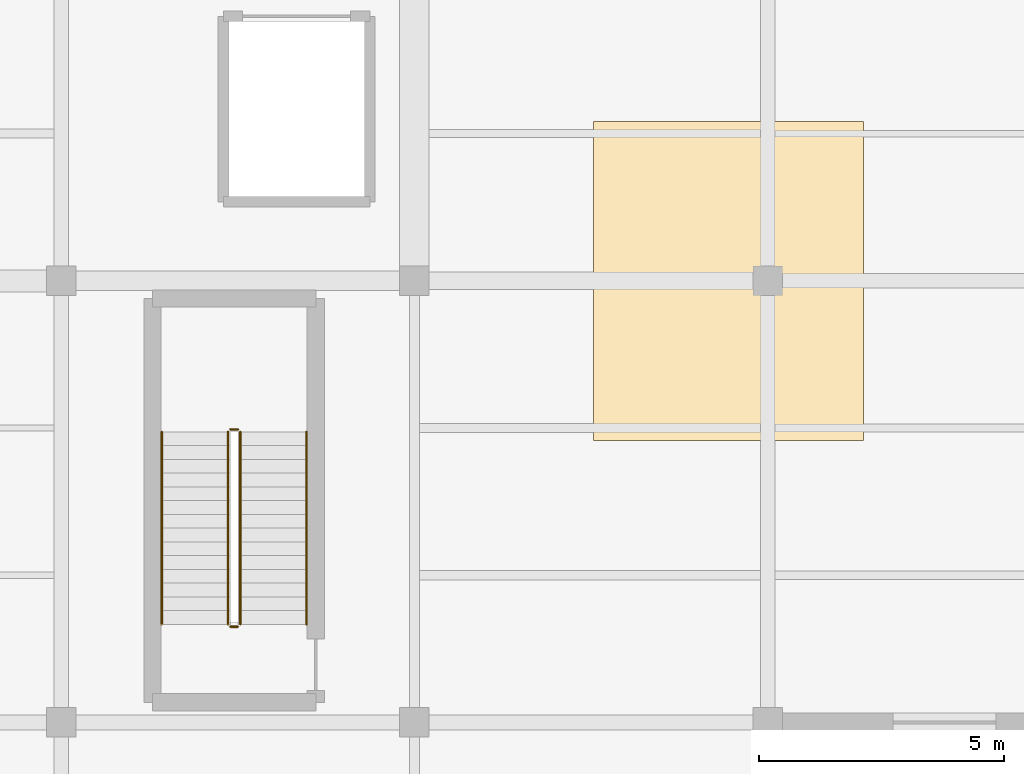
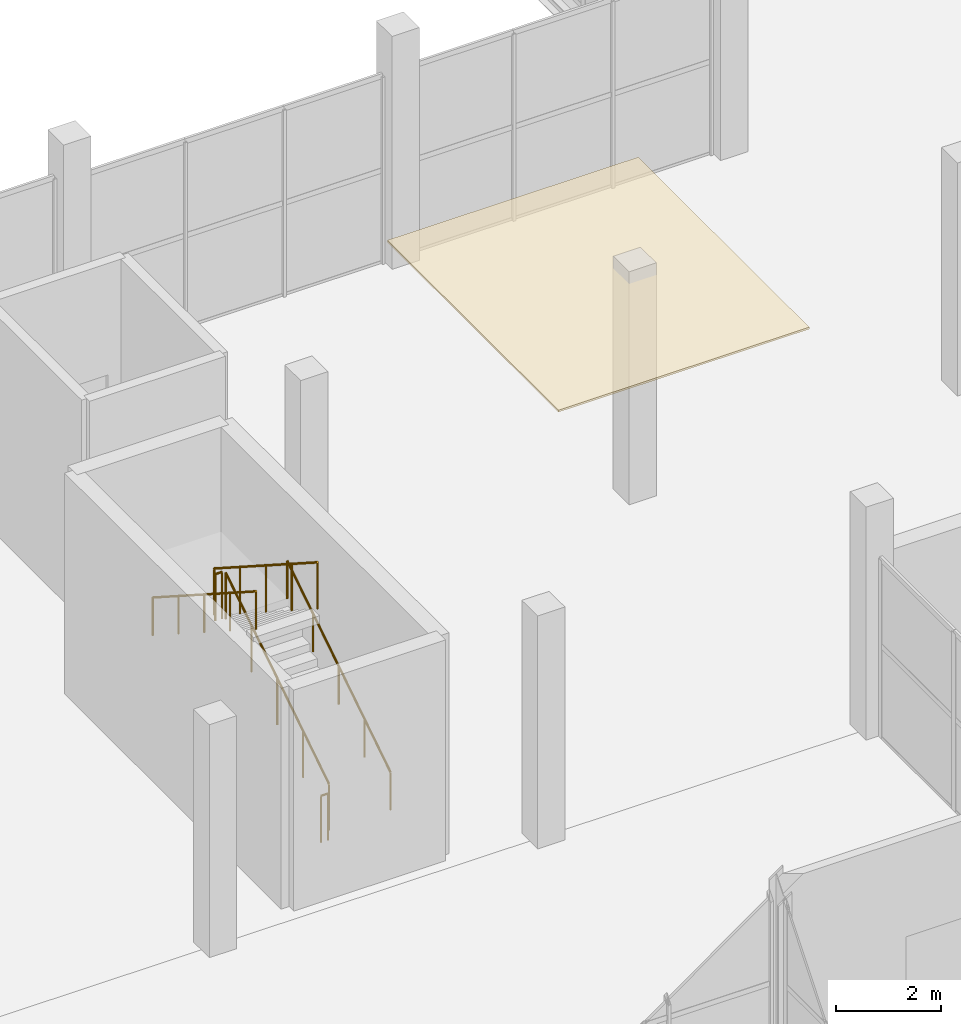
# One storey, part 140 of 141: 6 railings, 1 covering.
"""IFC4 building model written with IfcOpenShell, lengths in metres."""

import ifcopenshell
import ifcopenshell.guid

model = None  # the IFC model being written
_history = None  # IfcOwnerHistory: only IFC2X3 demands one
_inside = {}  # id of a spatial element -> (the spatial element, [elements in it])
_under = {}  # id of a project, library or spatial element -> (it, [spatial elements below it])
_declared = {}  # id of a project -> (the project, [libraries it declares])
_typed = {}  # id of a type object -> (the type object, [elements of that type])
_made_of = {}  # id of a material, layer set ... -> (it, [elements and type objects made of it])


def new_model(schema):
    """Start an empty IFC model of exactly this schema.

    Asked for "IFC4X3", IfcOpenShell would pick the latest addendum, in which some entities
    have other attributes; the version numbers below select the first issue.
    IFC2X3 requires an IfcOwnerHistory on every rooted entity: one is made here for all.
    """
    global model, _history
    if schema == "IFC4X3":
        model = ifcopenshell.file(schema_version=(4, 3, 0, 0))
    else:
        model = ifcopenshell.file(schema=schema)
    _inside.clear()
    _under.clear()
    _declared.clear()
    _typed.clear()
    _made_of.clear()
    _history = None
    if model.schema == "IFC2X3":
        org = make("IfcOrganization", Name="unknown")
        user = make(
            "IfcPersonAndOrganization",
            ThePerson=make("IfcPerson", FamilyName="unknown"),
            TheOrganization=org,
        )
        app = make(
            "IfcApplication",
            ApplicationDeveloper=org,
            Version="unknown",
            ApplicationFullName="unknown",
            ApplicationIdentifier="unknown",
        )
        _history = make(
            "IfcOwnerHistory",
            OwningUser=user,
            OwningApplication=app,
            ChangeAction="ADDED",
            CreationDate=0,
        )
    return model


def make(cls, **values):
    """One entity of the class cls with the attributes given. An attribute that is None is left unset."""
    return model.create_entity(
        cls, **{name: value for name, value in values.items() if value is not None}
    )


def rooted(cls, **values):
    """An entity with a GlobalId (a new one), such as an element, a storey or a relation."""
    return make(cls, GlobalId=ifcopenshell.guid.new(), OwnerHistory=_history, **values)


def si_unit(unit_type, name, prefix=None):
    """IfcSIUnit, for example si_unit("LENGTHUNIT", "METRE", prefix="MILLI")."""
    return make("IfcSIUnit", UnitType=unit_type, Prefix=prefix, Name=name)


def assignment(units):
    """IfcUnitAssignment: the units of a project."""
    return None if units is None else make("IfcUnitAssignment", Units=units)


def point(xyz):
    """IfcCartesianPoint."""
    return None if xyz is None else make("IfcCartesianPoint", Coordinates=xyz)


def direction(xyz):
    """IfcDirection."""
    return None if xyz is None else make("IfcDirection", DirectionRatios=xyz)


def frame(location, z_axis=None, x_axis=None):
    """IfcAxis2Placement3D, a coordinate frame: its origin and axes. An axis left out is left unset."""
    return make(
        "IfcAxis2Placement3D",
        Location=point(location),
        Axis=direction(z_axis),
        RefDirection=direction(x_axis),
    )


def frame_2d(location, x_axis=None):
    """IfcAxis2Placement2D, a coordinate frame in the plane: its origin and x axis."""
    return make(
        "IfcAxis2Placement2D", Location=point(location), RefDirection=direction(x_axis)
    )


def origin():
    """The frame at (0, 0, 0) with its axes left unset."""
    return frame((0.0, 0.0, 0.0))


def origin_2d():
    """The frame at (0, 0) in the plane with its x axis left unset."""
    return frame_2d((0.0, 0.0))


def place(relative_to, where):
    """IfcLocalPlacement: puts the frame where relative to a parent placement (None: the world)."""
    return make(
        "IfcLocalPlacement", PlacementRelTo=relative_to, RelativePlacement=where
    )


def context(
    kind, dimensions, precision=None, world=None, true_north=None, identifier=None
):
    """IfcGeometricRepresentationContext, for example the 3D "Model" context."""
    return make(
        "IfcGeometricRepresentationContext",
        ContextIdentifier=identifier,
        ContextType=kind,
        CoordinateSpaceDimension=dimensions,
        Precision=precision,
        WorldCoordinateSystem=world,
        TrueNorth=true_north,
    )


def subcontext(parent, identifier, kind, view, scale=None):
    """IfcGeometricRepresentationSubContext, for example "Body" below "Model"."""
    return make(
        "IfcGeometricRepresentationSubContext",
        ContextIdentifier=identifier,
        ContextType=kind,
        ParentContext=parent,
        TargetScale=scale,
        TargetView=view,
    )


def project(units=None, contexts=None):
    """IfcProject with its units and contexts."""
    return rooted(
        "IfcProject",
        Name="project",
        RepresentationContexts=contexts,
        UnitsInContext=assignment(units),
    )


def spatial(cls, under=None, at=None, **own):
    """A site, building, storey or space (cls), placed at a placement, below another one or the project."""
    s = rooted(cls, ObjectPlacement=at, **own)
    if under is not None:
        _under.setdefault(under.id(), (under, []))[1].append(s)
    return s


def profile(cls, at=None, kind="AREA", **sizes):
    """A parametric profile (cls). Its sizes go by their IFC names, for example OverallWidth=200.0."""
    return make(cls, ProfileType=kind, Position=at, **sizes)


def rectangle(**sizes):
    """IfcRectangleProfileDef."""
    return profile("IfcRectangleProfileDef", **sizes)


def circle(**sizes):
    """IfcCircleProfileDef."""
    return profile("IfcCircleProfileDef", **sizes)


def extrude(swept, where, along, depth):
    """IfcExtrudedAreaSolid: the profile swept, set in the frame where, extruded along a direction by depth."""
    return make(
        "IfcExtrudedAreaSolid",
        SweptArea=swept,
        Position=where,
        ExtrudedDirection=direction(along),
        Depth=depth,
    )


def shape(context_of_items, identifier, shape_type, items):
    """IfcShapeRepresentation: the items that make up one representation, for example the "Body"."""
    return make(
        "IfcShapeRepresentation",
        ContextOfItems=context_of_items,
        RepresentationIdentifier=identifier,
        RepresentationType=shape_type,
        Items=items,
    )


def material(Name=None, Category=None):
    """IfcMaterial."""
    return make("IfcMaterial", Name=Name, Category=Category)


def layer(
    of_material, thickness, ventilated=None, Name=None, Category=None, Priority=None
):
    """IfcMaterialLayer: one layer of a wall or slab, of a material (None: an air gap)."""
    return make(
        "IfcMaterialLayer",
        Material=of_material,
        LayerThickness=thickness,
        IsVentilated=ventilated,
        Name=Name,
        Category=Category,
        Priority=Priority,
    )


def layer_set(layers, Name=None):
    """IfcMaterialLayerSet."""
    return make("IfcMaterialLayerSet", MaterialLayers=layers, LayerSetName=Name)


def made_of(thing, what):
    """Note that an element or type object is made of a material, layer set ...; save() writes the relation."""
    if what is not None:
        _made_of.setdefault(what.id(), (what, []))[1].append(thing)
    return thing


def type_object(cls, material=None, **own):
    """A type object (cls), such as IfcWallType, which elements share."""
    return made_of(rooted(cls, **own), material)


def element(
    cls,
    number,
    at=None,
    inside=None,
    cuts=None,
    type_object=None,
    material=None,
    context=None,
    identifier="Body",
    shape_type=None,
    held_by="IfcProductDefinitionShape",
    body=None,
    shapes=None,
    **own,
):
    """One element of the class cls, such as IfcWall. Its Tag is "e" and its number.

    at: its placement. inside: the storey or other place that contains it. cuts: it is an
    opening in that element (IfcRelVoidsElement). A single representation is given by context,
    identifier, shape_type and body (its items); several are given by shapes. held_by: the class
    of the entity that holds the representations. save() writes the other relations.
    """
    e = rooted(cls, Tag="e%d" % number, ObjectPlacement=at, **own)
    if body is not None:
        shapes = [shape(context, identifier, shape_type, body)]
    if shapes is not None:
        e.Representation = make(held_by, Representations=shapes)
    if inside is not None:
        _inside.setdefault(inside.id(), (inside, []))[1].append(e)
    if cuts is not None:
        rooted(
            "IfcRelVoidsElement", RelatingBuildingElement=cuts, RelatedOpeningElement=e
        )
    if type_object is not None:
        _typed.setdefault(type_object.id(), (type_object, []))[1].append(e)
    return made_of(e, material)


def aggregate(whole, parts):
    """IfcRelAggregates: a whole, such as a stair, and the parts it consists of."""
    return rooted("IfcRelAggregates", RelatingObject=whole, RelatedObjects=parts)


def save(model, path):
    """Write the relations noted so far, then the file.

    IfcRelAggregates (storeys below a building ...), IfcRelContainedInSpatialStructure (elements
    in a storey), IfcRelDefinesByType, IfcRelAssociatesMaterial and IfcRelDeclares: one each for
    every whole, place, type object, material and project.
    """
    for whole, parts in _under.values():
        aggregate(whole, parts)
    for where, things in _inside.values():
        rooted(
            "IfcRelContainedInSpatialStructure",
            RelatedElements=things,
            RelatingStructure=where,
        )
    for kind, things in _typed.values():
        rooted("IfcRelDefinesByType", RelatedObjects=things, RelatingType=kind)
    for what, things in _made_of.values():
        rooted("IfcRelAssociatesMaterial", RelatedObjects=things, RelatingMaterial=what)
    for by, libraries in _declared.values():
        rooted("IfcRelDeclares", RelatingContext=by, RelatedDefinitions=libraries)
    model.write(path)


model = new_model("IFC4")

# Units and contexts
model_context = context("Model", 3, precision=1e-05, world=origin(), true_north=direction((0.0, 1.0)))
body_context = subcontext(model_context, "Body", "Model", "MODEL_VIEW")
ifc_project = project(units=[si_unit("LENGTHUNIT", "METRE"), si_unit("AREAUNIT", "SQUARE_METRE"), si_unit("VOLUMEUNIT", "CUBIC_METRE"), si_unit("PLANEANGLEUNIT", "RADIAN"), si_unit("MASSUNIT", "GRAM", prefix="KILO")], contexts=[model_context])

# Site, building, storey
site_placement = place(None, origin())
site = spatial("IfcSite", under=ifc_project, at=site_placement, CompositionType="ELEMENT")
building_placement = place(site_placement, origin())
building = spatial("IfcBuilding", under=site, at=building_placement, Name="Sundgate Opera House", CompositionType="ELEMENT")
storey_placement = place(building_placement, frame((0.0, 0.0, 11.39990234375)))
storey = spatial("IfcBuildingStorey", under=building, at=storey_placement, Name="L02", CompositionType="ELEMENT", Elevation=11.39990234375)

# Covering
ifc_material_1 = material(Name="Perforated European oak acoustic ceiling", Category="wood")
ifc_layer = layer(ifc_material_1, 0.044921875)
ifc_layer_set = layer_set([ifc_layer], Name="Perforated European oak acoustic ceiling")
covering_type = type_object("IfcCoveringType", Name="CV-CEIL-OAK", PredefinedType="CEILING", material=ifc_layer_set)
covering_placement = place(storey_placement, frame((145.0, 78.0, 5.0751953125), z_axis=(0.0, 0.0, 1.0), x_axis=(1.0, 0.0, 0.0)))
element("IfcCovering", 1, at=covering_placement, inside=storey, type_object=covering_type, Name="L02 Acoustic Ceiling CV0131", PredefinedType="CEILING", context=body_context, shape_type="SweptSolid", body=[
    extrude(rectangle(XDim=5.5, YDim=6.5, at=origin_2d()), origin(), (0.0, 0.0, 1.0), 0.044921875),
])

# Railings
ifc_material_2 = material(Name="Painted steel S275 guardrail", Category="steel")
railing_type_1 = type_object("IfcRailingType", Name="RL-STAIR-GUARD-1100", PredefinedType="GUARDRAIL", material=ifc_material_2)
railing_1_placement = place(storey_placement, frame((135.050048828125, 71.0, 0.18017578125)))
element("IfcRailing", 2, at=railing_1_placement, inside=storey, type_object=railing_type_1, Name="ST06L02 Guardrail RL0225", PredefinedType="GUARDRAIL", context=body_context, shape_type="SweptSolid", body=[
    extrude(circle(Radius=0.02392578125, at=origin_2d()), frame((0.0, 0.0, 1.076171875), z_axis=(0.0, 0.841171666519, 0.540768182723), x_axis=(-1.0, 0.0, 0.0)), (0.0, 0.0, 1.0), 4.66015625),
    extrude(circle(Radius=0.02099609375, at=origin_2d()), origin(), (0.0, 0.0, 1.0), 1.052001953125),
    extrude(circle(Radius=0.02099609375, at=origin_2d()), frame((0.0, 0.97998046875, 0.6298828125)), (0.0, 0.0, 1.0), 1.052001953125),
    extrude(circle(Radius=0.02099609375, at=origin_2d()), frame((0.0, 1.9599609375, 1.260009765625)), (0.0, 0.0, 1.0), 1.052001953125),
    extrude(circle(Radius=0.02099609375, at=origin_2d()), frame((0.0, 2.93994140625, 1.89013671875)), (0.0, 0.0, 1.0), 1.052001953125),
    extrude(circle(Radius=0.02099609375, at=origin_2d()), frame((0.0, 3.919921875, 2.52001953125)), (0.0, 0.0, 1.0), 1.052001953125),
])
railing_2_placement = place(storey_placement, frame((135.0, 74.969970703125, 2.7001953125)))
element("IfcRailing", 3, at=railing_2_placement, inside=storey, type_object=railing_type_1, Name="ST06L02 Guardrail RL0226", PredefinedType="GUARDRAIL", context=body_context, shape_type="SweptSolid", body=[
    extrude(circle(Radius=0.02392578125, at=origin_2d()), frame((0.0, 0.0, 1.076171875), z_axis=(-1.0, 0.0, 0.0), x_axis=(0.0, -1.0, 0.0)), (0.0, 0.0, 1.0), 0.14990234375),
    extrude(circle(Radius=0.02099609375, at=origin_2d()), origin(), (0.0, 0.0, 1.0), 1.052001953125),
    extrude(circle(Radius=0.02099609375, at=origin_2d()), frame((-0.14990234375, 0.0, 0.0)), (0.0, 0.0, 1.0), 1.052001953125),
])
railing_3_placement = place(storey_placement, frame((134.800048828125, 74.919921875, 2.880126953125)))
element("IfcRailing", 4, at=railing_3_placement, inside=storey, type_object=railing_type_1, Name="ST06L02 Guardrail RL0227", PredefinedType="GUARDRAIL", context=body_context, shape_type="SweptSolid", body=[
    extrude(circle(Radius=0.02392578125, at=origin_2d()), frame((0.0, 0.0, 1.076171875), z_axis=(0.0, -0.841171666519, 0.540768182723), x_axis=(1.0, 0.0, 0.0)), (0.0, 0.0, 1.0), 4.66015625),
    extrude(circle(Radius=0.02099609375, at=origin_2d()), origin(), (0.0, 0.0, 1.0), 1.052001953125),
    extrude(circle(Radius=0.02099609375, at=origin_2d()), frame((0.0, -0.97998046875, 0.6298828125)), (0.0, 0.0, 1.0), 1.052001953125),
    extrude(circle(Radius=0.02099609375, at=origin_2d()), frame((0.0, -1.9599609375, 1.260009765625)), (0.0, 0.0, 1.0), 1.052001953125),
    extrude(circle(Radius=0.02099609375, at=origin_2d()), frame((0.0, -2.93994140625, 1.89013671875)), (0.0, 0.0, 1.0), 1.052001953125),
    extrude(circle(Radius=0.02099609375, at=origin_2d()), frame((0.0, -3.919921875, 2.52001953125)), (0.0, 0.0, 1.0), 1.052001953125),
])
railing_4_placement = place(storey_placement, frame((135.0, 70.949951171875, 0.0)))
element("IfcRailing", 5, at=railing_4_placement, inside=storey, type_object=railing_type_1, Name="ST06L02 Guardrail RL0228", PredefinedType="GUARDRAIL", context=body_context, shape_type="SweptSolid", body=[
    extrude(circle(Radius=0.02392578125, at=origin_2d()), frame((0.0, 0.0, 1.076171875), z_axis=(-1.0, 0.0, 0.0), x_axis=(0.0, -1.0, 0.0)), (0.0, 0.0, 1.0), 0.14990234375),
    extrude(circle(Radius=0.02099609375, at=origin_2d()), origin(), (0.0, 0.0, 1.0), 1.052001953125),
    extrude(circle(Radius=0.02099609375, at=origin_2d()), frame((-0.14990234375, 0.0, 0.0)), (0.0, 0.0, 1.0), 1.052001953125),
])
ifc_material_3 = material(Name="Brushed stainless steel handrail", Category="steel")
railing_type_2 = type_object("IfcRailingType", Name="RL-STAIR-HAND-900", PredefinedType="HANDRAIL", material=ifc_material_3)
railing_5_placement = place(storey_placement, frame((136.39990234375, 71.0, 0.18017578125)))
element("IfcRailing", 6, at=railing_5_placement, inside=storey, type_object=railing_type_2, Name="ST06L02 Handrail RL0229", PredefinedType="HANDRAIL", context=body_context, shape_type="SweptSolid", body=[
    extrude(circle(Radius=0.02392578125, at=origin_2d()), frame((0.0, 0.0, 0.8759765625), z_axis=(0.0, 0.841171666519, 0.540768182723), x_axis=(-1.0, 0.0, 0.0)), (0.0, 0.0, 1.0), 4.66015625),
    extrude(circle(Radius=0.02099609375, at=origin_2d()), origin(), (0.0, 0.0, 1.0), 0.851806640625),
    extrude(circle(Radius=0.02099609375, at=origin_2d()), frame((0.0, 0.97998046875, 0.6298828125)), (0.0, 0.0, 1.0), 0.851806640625),
    extrude(circle(Radius=0.02099609375, at=origin_2d()), frame((0.0, 1.9599609375, 1.260009765625)), (0.0, 0.0, 1.0), 0.851806640625),
    extrude(circle(Radius=0.02099609375, at=origin_2d()), frame((0.0, 2.93994140625, 1.89013671875)), (0.0, 0.0, 1.0), 0.851806640625),
    extrude(circle(Radius=0.02099609375, at=origin_2d()), frame((0.0, 3.919921875, 2.52001953125)), (0.0, 0.0, 1.0), 0.851806640625),
])
railing_6_placement = place(storey_placement, frame((133.449951171875, 74.919921875, 2.880126953125)))
element("IfcRailing", 7, at=railing_6_placement, inside=storey, type_object=railing_type_2, Name="ST06L02 Handrail RL0230", PredefinedType="HANDRAIL", context=body_context, shape_type="SweptSolid", body=[
    extrude(circle(Radius=0.02392578125, at=origin_2d()), frame((0.0, 0.0, 0.8759765625), z_axis=(0.0, -0.841171666519, 0.540768182723), x_axis=(1.0, 0.0, 0.0)), (0.0, 0.0, 1.0), 4.66015625),
    extrude(circle(Radius=0.02099609375, at=origin_2d()), origin(), (0.0, 0.0, 1.0), 0.851806640625),
    extrude(circle(Radius=0.02099609375, at=origin_2d()), frame((0.0, -0.97998046875, 0.6298828125)), (0.0, 0.0, 1.0), 0.851806640625),
    extrude(circle(Radius=0.02099609375, at=origin_2d()), frame((0.0, -1.9599609375, 1.260009765625)), (0.0, 0.0, 1.0), 0.851806640625),
    extrude(circle(Radius=0.02099609375, at=origin_2d()), frame((0.0, -2.93994140625, 1.89013671875)), (0.0, 0.0, 1.0), 0.851806640625),
    extrude(circle(Radius=0.02099609375, at=origin_2d()), frame((0.0, -3.919921875, 2.52001953125)), (0.0, 0.0, 1.0), 0.851806640625),
])

save(model, "model.ifc")
